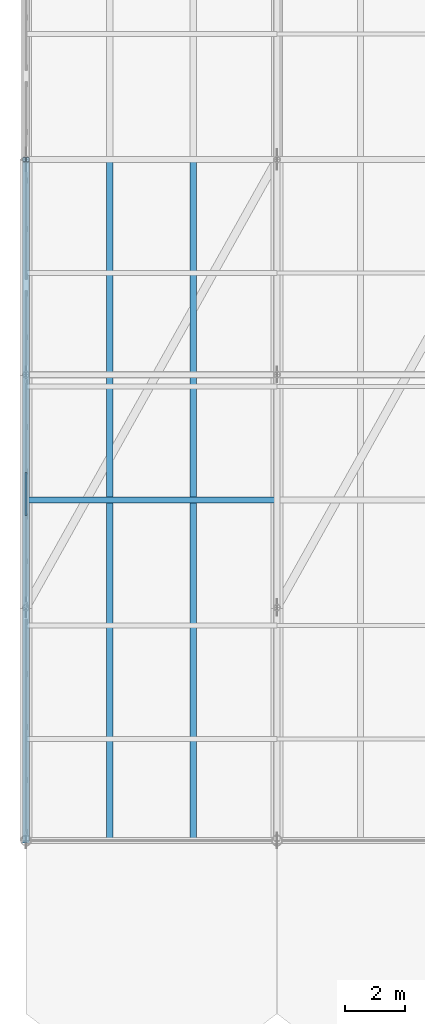
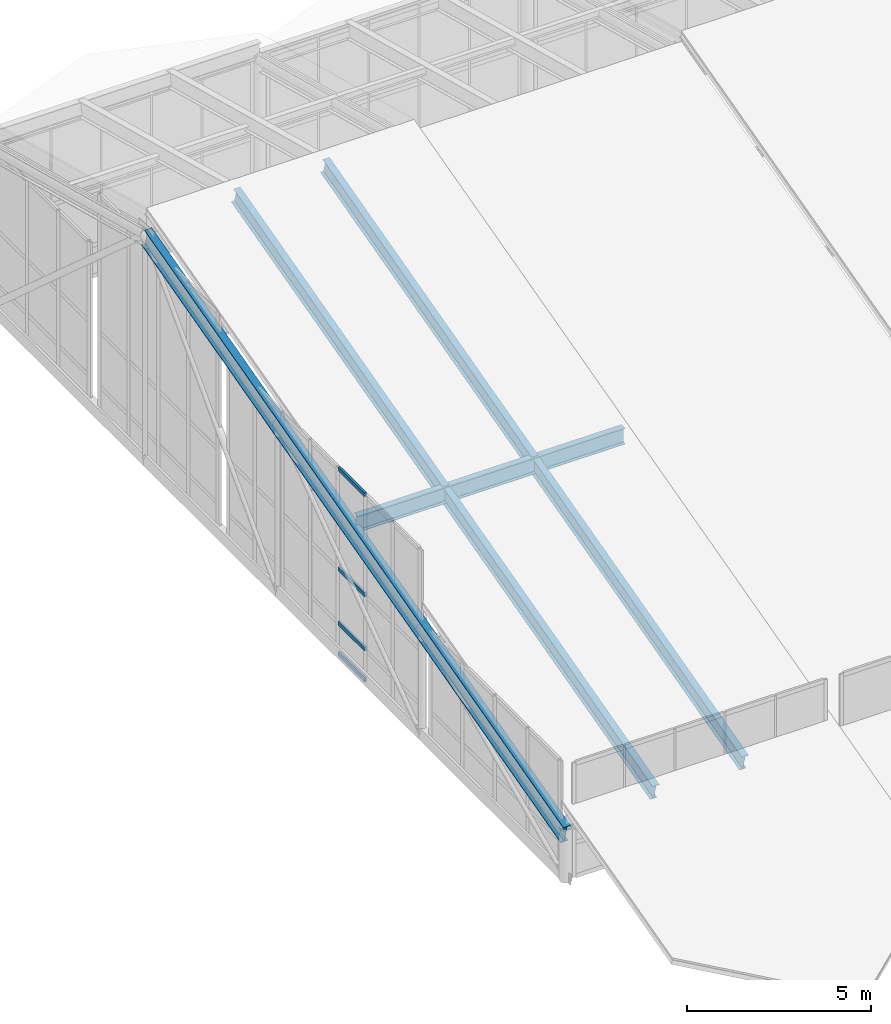
# One storey, part 6 of 43: 4 beams, 4 members, 1 element without a shape of its own.
"""IFC4 building model written with IfcOpenShell, lengths in metres."""

from ifc_helpers import new_model, si_unit, direction, frame, origin, origin_2d, place, context, subcontext, project, spatial, hollow_rectangle, i_section, extrude, material, layer, layer_set, material_profile, profile_set, type_object, element, aggregate, save


model = new_model("IFC4")

# Units and contexts
model_context = context("Model", 3, precision=1e-05, world=origin(), true_north=direction((0.0, 1.0)))
body_context = subcontext(model_context, "Body", "Model", "MODEL_VIEW")
ifc_project = project(units=[si_unit("LENGTHUNIT", "METRE"), si_unit("AREAUNIT", "SQUARE_METRE"), si_unit("VOLUMEUNIT", "CUBIC_METRE"), si_unit("PLANEANGLEUNIT", "RADIAN"), si_unit("MASSUNIT", "GRAM", prefix="KILO")], contexts=[model_context])

# Site, building, storey
site_placement = place(None, origin())
site = spatial("IfcSite", under=ifc_project, at=site_placement, CompositionType="ELEMENT")
building_placement = place(site_placement, origin())
building = spatial("IfcBuilding", under=site, at=building_placement, Name="Selat Folded Stagehouse", CompositionType="ELEMENT")
storey_placement = place(building_placement, frame((0.0, 0.0, 32.39990234375)))
storey = spatial("IfcBuildingStorey", under=building, at=storey_placement, Name="RF", CompositionType="ELEMENT", Elevation=32.39990234375)

# Beams
ifc_material_1 = material(Name="Steel S355", Category="steel")
ifc_material_profile_1 = material_profile(ifc_material_1, i_section(OverallWidth=0.209228515625, OverallDepth=0.533203125, WebThickness=0.010009765625, FlangeThickness=0.015625, FilletRadius=0.0126953125, at=origin_2d()), Name="UKB 533x210x92")
ifc_profile_set_1 = profile_set([ifc_material_profile_1], Name="Steel S355")
beam_type_1 = type_object("IfcBeamType", Name="BM-GIRD-533x210x92", PredefinedType="BEAM", material=ifc_profile_set_1)
beam_1_placement = place(storey_placement, frame((8.39990234375, 34.800048828125, 4.93212890625), z_axis=(1.0, 0.0, 0.0), x_axis=(0.0, 1.0, 0.0)))
element("IfcBeam", 1, at=beam_1_placement, inside=storey, type_object=beam_type_1, Name="RF bay 1 M roof bearer beam", PredefinedType="BEAM", context=body_context, shape_type="SweptSolid", body=[
    extrude(i_section(OverallWidth=0.209228515625, OverallDepth=0.533203125, WebThickness=0.010009765625, FlangeThickness=0.015625, FilletRadius=0.0126953125, at=origin_2d()), origin(), (0.0, 0.0, 1.0), 8.400146484375),
])
for number, where, z_axis, x_axis, name in (
    (2, (11.199951171875, 23.39990234375, 1.9208984375), (0.0, 0.966839847915, 0.255383453816), (-1.0, 0.0, 0.0), "RF bay 1 W south sub-rafter"),
    (3, (14.0, 23.39990234375, 1.9208984375), (0.0, 0.966839847915, 0.255383453816), (-1.0, 0.0, 0.0), "RF bay 1 E south sub-rafter"),
):
    element("IfcBeam", number, at=place(storey_placement, frame(where, z_axis=z_axis, x_axis=x_axis)), inside=storey, type_object=beam_type_1, Name=name, PredefinedType="BEAM", context=body_context, shape_type="SweptSolid", body=[
        extrude(i_section(OverallWidth=0.209228515625, OverallDepth=0.533203125, WebThickness=0.010009765625, FlangeThickness=0.015625, FilletRadius=0.0126953125, at=origin_2d()), origin(), (0.0, 0.0, 1.0), 23.58203125),
    ])
ifc_material_profile_2 = material_profile(ifc_material_1, i_section(OverallWidth=0.230224609375, OverallDepth=0.6171875, WebThickness=0.01318359375, FlangeThickness=0.022216796875, FilletRadius=0.0126953125, at=origin_2d()), Name="UKB 610x229x140")
ifc_profile_set_2 = profile_set([ifc_material_profile_2], Name="Steel S355")
beam_type_2 = type_object("IfcBeamType", Name="BM-GIRD-610x229x140", PredefinedType="BEAM", material=ifc_profile_set_2)
beam_2_placement = place(storey_placement, frame((8.39990234375, 23.39990234375, 1.506591796875), z_axis=(0.0, 0.966837291607, 0.255393131382), x_axis=(-1.0, 0.0, 0.0)))
element("IfcBeam", 4, at=beam_2_placement, inside=storey, type_object=beam_type_2, Name="RF primary south rafter beam 1", PredefinedType="BEAM", context=body_context, shape_type="SweptSolid", body=[
    extrude(i_section(OverallWidth=0.230224609375, OverallDepth=0.6171875, WebThickness=0.01318359375, FlangeThickness=0.022216796875, FilletRadius=0.0126953125, at=origin_2d()), origin(), (0.0, 0.0, 1.0), 23.58203125),
])

# Curtain wall, members
ifc_material_2 = material(Name="Aluminium 6063-T6", Category="aluminium")
ifc_layer = layer(ifc_material_2, 0.169921875)
ifc_layer_set = layer_set([ifc_layer], Name="Aluminium 6063-T6")
curtain_wall_type = type_object("IfcCurtainWallType", Name="CW-CRN-CLER", PredefinedType="NOTDEFINED", material=ifc_layer_set)
curtain_wall_placement = place(storey_placement, origin())
curtain_wall = element("IfcCurtainWall", 5, at=curtain_wall_placement, inside=storey, type_object=curtain_wall_type, Name="RF curtain wall CW-RF-W-01", PredefinedType="NOTDEFINED")
ifc_material_profile_3 = material_profile(ifc_material_2, hollow_rectangle(XDim=0.06494140625, YDim=0.139892578125, WallThickness=0.00390625, at=origin_2d()), Name="ALU 140x65x4.0")
ifc_profile_set_3 = profile_set([ifc_material_profile_3], Name="Aluminium 6063-T6")
member_type = type_object("IfcMemberType", Name="CWM-TRN-140x65", PredefinedType="USERDEFINED", material=ifc_profile_set_3)
member_1_placement = place(storey_placement, frame((8.39990234375, 34.282470703125, 0.03271484375), z_axis=(0.0, 1.0, 0.0), x_axis=(-1.0, 0.0, 0.0)))
member_1 = element("IfcMember", 6, at=member_1_placement, type_object=member_type, Name="CW-09 transom 3.1", ObjectType="TRANSOM", PredefinedType="USERDEFINED", context=body_context, shape_type="SweptSolid", body=[
    extrude(hollow_rectangle(XDim=0.06494140625, YDim=0.139892578125, WallThickness=0.00390625, at=origin_2d()), origin(), (0.0, 0.0, 1.0), 1.43505859375),
])
member_2_placement = place(storey_placement, frame((8.39990234375, 34.282470703125, 1.050048828125), z_axis=(0.0, 1.0, 0.0), x_axis=(-1.0, 0.0, 0.0)))
member_2 = element("IfcMember", 7, at=member_2_placement, type_object=member_type, Name="CW-09 transom 3.2", ObjectType="TRANSOM", PredefinedType="USERDEFINED", context=body_context, shape_type="SweptSolid", body=[
    extrude(hollow_rectangle(XDim=0.06494140625, YDim=0.139892578125, WallThickness=0.00390625, at=origin_2d()), origin(), (0.0, 0.0, 1.0), 1.43505859375),
])
member_3_placement = place(storey_placement, frame((8.39990234375, 34.282470703125, 2.85009765625), z_axis=(0.0, 1.0, 0.0), x_axis=(-1.0, 0.0, 0.0)))
member_3 = element("IfcMember", 8, at=member_3_placement, type_object=member_type, Name="CW-09 transom 3.3", ObjectType="TRANSOM", PredefinedType="USERDEFINED", context=body_context, shape_type="SweptSolid", body=[
    extrude(hollow_rectangle(XDim=0.06494140625, YDim=0.139892578125, WallThickness=0.00390625, at=origin_2d()), origin(), (0.0, 0.0, 1.0), 1.43505859375),
])
member_4_placement = place(storey_placement, frame((8.39990234375, 34.282470703125, 6.16748046875), z_axis=(0.0, 1.0, 0.0), x_axis=(-1.0, 0.0, 0.0)))
member_4 = element("IfcMember", 9, at=member_4_placement, type_object=member_type, Name="CW-09 transom 3.4", ObjectType="TRANSOM", PredefinedType="USERDEFINED", context=body_context, shape_type="SweptSolid", body=[
    extrude(hollow_rectangle(XDim=0.06494140625, YDim=0.139892578125, WallThickness=0.00390625, at=origin_2d()), origin(), (0.0, 0.0, 1.0), 1.43505859375),
])
aggregate(curtain_wall, [member_1, member_2, member_3, member_4])

save(model, "model.ifc")
